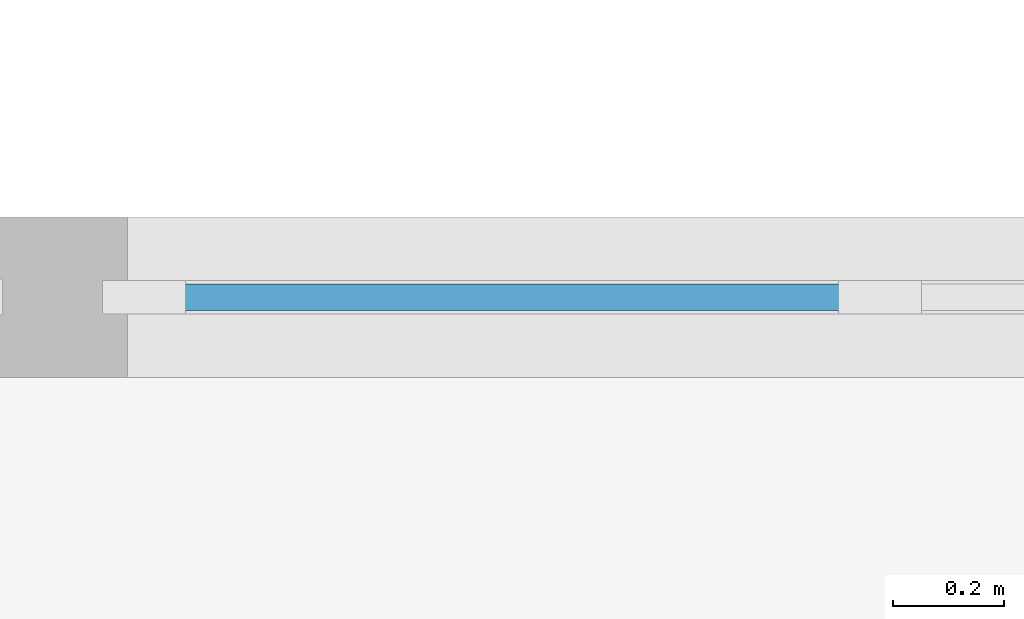
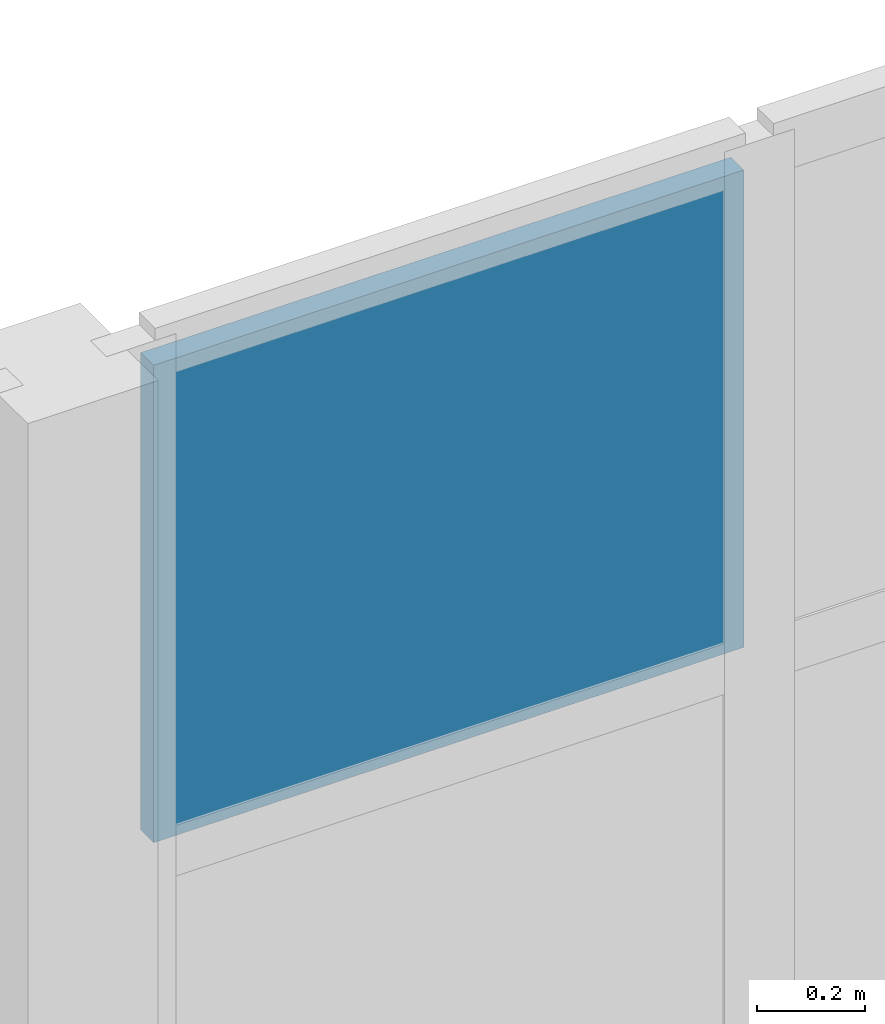
# One storey, part 73 of 120: 1 plate, 1 element without a shape of its own.
"""IFC4 building model written with IfcOpenShell, lengths in metres."""

from ifc_helpers import new_model, si_unit, direction, frame, origin, origin_2d, place, context, subcontext, project, spatial, rectangle, extrude, material, layer, layer_set, type_object, element, aggregate, save


model = new_model("IFC4")

# Units and contexts
model_context = context("Model", 3, precision=1e-05, world=origin(), true_north=direction((0.0, 1.0)))
body_context = subcontext(model_context, "Body", "Model", "MODEL_VIEW")
ifc_project = project(units=[si_unit("LENGTHUNIT", "METRE"), si_unit("AREAUNIT", "SQUARE_METRE"), si_unit("VOLUMEUNIT", "CUBIC_METRE"), si_unit("PLANEANGLEUNIT", "RADIAN"), si_unit("MASSUNIT", "GRAM", prefix="KILO")], contexts=[model_context])

# Site, building, storey
site_placement = place(None, origin())
site = spatial("IfcSite", under=ifc_project, at=site_placement, CompositionType="ELEMENT")
building_placement = place(site_placement, origin())
building = spatial("IfcBuilding", under=site, at=building_placement, Name="Siltcreek Boulevard Central Fire Station", CompositionType="ELEMENT")
storey_placement = place(building_placement, origin())
storey = spatial("IfcBuildingStorey", under=building, at=storey_placement, Name="L01", CompositionType="ELEMENT", Elevation=0.0)

# Curtain wall, plate
ifc_material_1 = material(Name="Anodized aluminum and low-E insulated glazing", Category="aluminium")
curtain_wall_type = type_object("IfcCurtainWallType", Name="CW_SYS_18", PredefinedType="USERDEFINED", material=ifc_material_1)
curtain_wall_placement = place(storey_placement, origin())
curtain_wall = element("IfcCurtainWall", 1, at=curtain_wall_placement, inside=storey, type_object=curtain_wall_type, Name="L01 V5 unitised curtain wall CW-107", ObjectType="CURTAIN WALL", PredefinedType="USERDEFINED")
ifc_material_2 = material(Name="Low-E double insulated glass unit", Category="glass")
ifc_layer = layer(ifc_material_2, 0.048095703125, Name="Low-E double insulated glass unit")
ifc_layer_set = layer_set([ifc_layer], Name="Low-E double insulated glass unit")
plate_type = type_object("IfcPlateType", Name="CWP_GLZ_3", PredefinedType="CURTAIN_PANEL", material=ifc_layer_set)
plate_placement = place(storey_placement, frame((128.03369140625, 112.199951171875, 3.968994140625), z_axis=(0.0, 0.0, 1.0), x_axis=(-1.0, 0.0, 0.0)))
plate = element("IfcPlate", 2, at=plate_placement, type_object=plate_type, Name="CW-107 panel 2.3", PredefinedType="CURTAIN_PANEL", context=body_context, shape_type="SweptSolid", body=[
    extrude(rectangle(XDim=1.267578125, YDim=0.048095703125, at=origin_2d()), origin(), (0.0, 0.0, 1.0), 1.083984375),
])
aggregate(curtain_wall, [plate])

save(model, "model.ifc")
